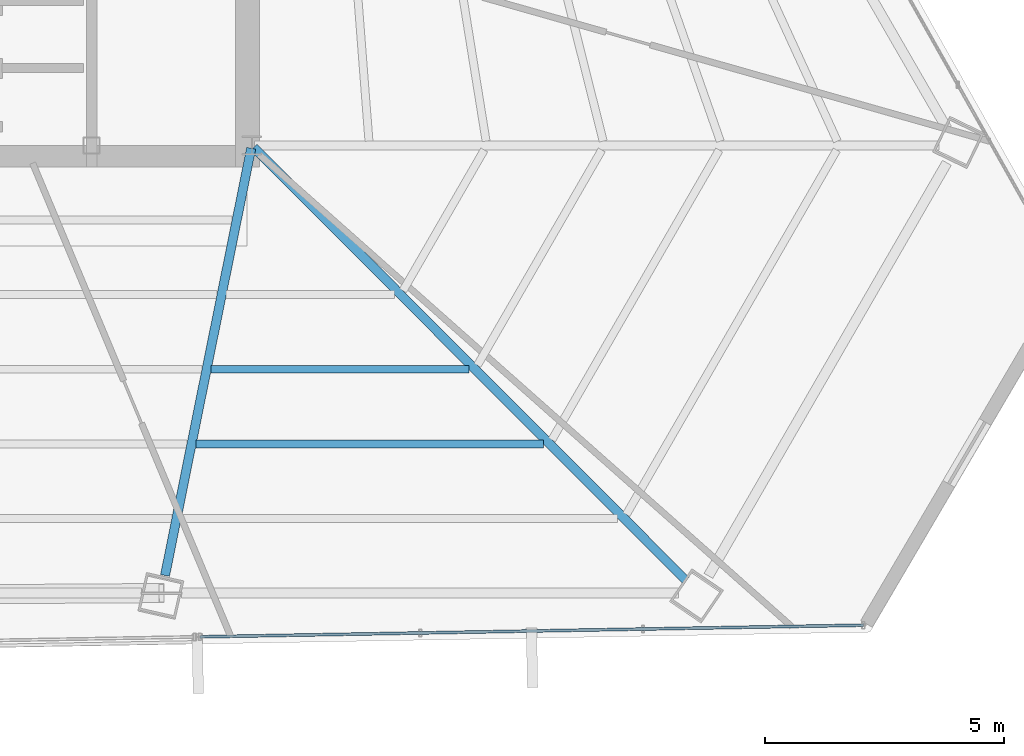
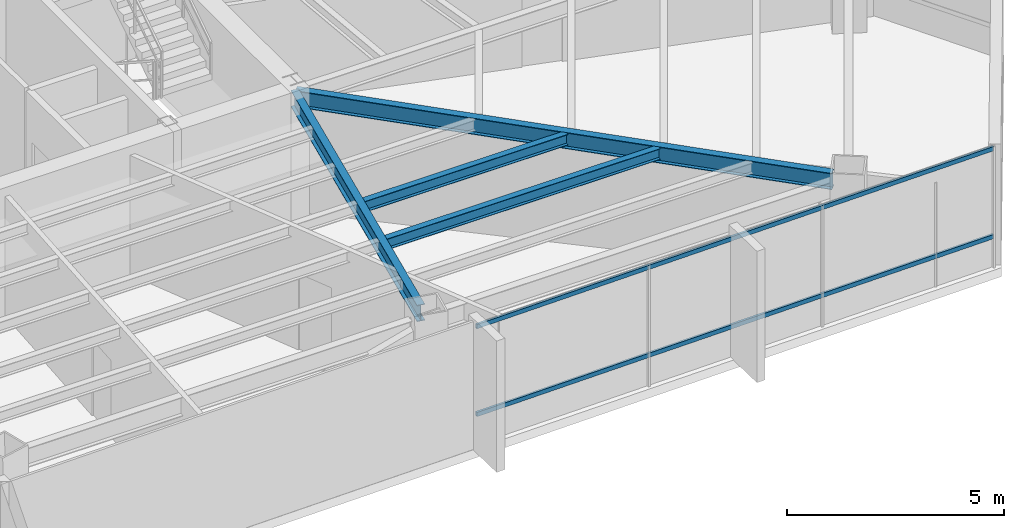
# One storey, part 19 of 42: 4 beams, 2 members, 1 element without a shape of its own.
"""IFC4 building model written with IfcOpenShell, lengths in metres."""

from ifc_helpers import new_model, si_unit, direction, frame, origin, origin_2d, place, context, subcontext, project, spatial, hollow_rectangle, i_section, extrude, source, transform, mapped, material, material_profile, profile_set, type_object, type_shapes, element, aggregate, save


model = new_model("IFC4")

# Units and contexts
model_context = context("Model", 3, precision=1e-05, world=origin(), true_north=direction((0.0, 1.0)))
body_context = subcontext(model_context, "Body", "Model", "MODEL_VIEW")
ifc_project = project(units=[si_unit("LENGTHUNIT", "METRE"), si_unit("AREAUNIT", "SQUARE_METRE"), si_unit("VOLUMEUNIT", "CUBIC_METRE"), si_unit("PLANEANGLEUNIT", "RADIAN"), si_unit("MASSUNIT", "GRAM", prefix="KILO")], contexts=[model_context])

# Site, building, storey
site_placement = place(None, origin())
site = spatial("IfcSite", under=ifc_project, at=site_placement, CompositionType="ELEMENT")
building_placement = place(site_placement, origin())
building = spatial("IfcBuilding", under=site, at=building_placement, Name="Caelisora Broadcast Tower", CompositionType="ELEMENT")
storey_placement = place(building_placement, frame((0.0, 0.0, 187.699951171875)))
storey = spatial("IfcBuildingStorey", under=building, at=storey_placement, Name="L49", CompositionType="ELEMENT", Elevation=187.699951171875)

# Beams
ifc_material_1 = material(Name="Steel Grade 350 (AS/NZS 3679.1)", Category="steel")
ifc_material_profile_1 = material_profile(ifc_material_1, i_section(OverallWidth=0.19091796875, OverallDepth=0.46044921875, WebThickness=0.010009765625, FlangeThickness=0.01611328125, at=origin_2d()), Name="Steel Grade 350 (AS/NZS 3679.1)")
ifc_profile_set_1 = profile_set([ifc_material_profile_1], Name="Steel Grade 350 (AS/NZS 3679.1)")
beam_type_1 = type_object("IfcBeamType", Name="PG06", PredefinedType="BEAM", material=ifc_profile_set_1)
shared_shape_1 = source(origin(), body_context, "Body", "SweptSolid", [
    extrude(i_section(OverallWidth=0.19091796875, OverallDepth=0.46044921875, WebThickness=0.010009765625, FlangeThickness=0.01611328125, at=origin_2d()), origin(), (0.0, 0.0, 1.0), 12.78271484375),
])
beam_1_placement = place(storey_placement, frame((45.54248046875, 17.357421875, 3.169921875), z_axis=(0.706399760924, -0.707813095221, 0.0), x_axis=(0.707813095221, 0.706399760924, 0.0)))
element("IfcBeam", 1, at=beam_1_placement, inside=storey, type_object=beam_type_1, Name="L49 beam PG06", PredefinedType="BEAM", context=body_context, shape_type="MappedRepresentation", body=[
    mapped(shared_shape_1, transform((0.0, 0.0, 0.0), scale=1.0)),
])
shared_shape_2 = source(origin(), body_context, "Body", "SweptSolid", [
    extrude(i_section(OverallWidth=0.19091796875, OverallDepth=0.46044921875, WebThickness=0.010009765625, FlangeThickness=0.01611328125, at=origin_2d()), origin(), (0.0, 0.0, 1.0), 9.109130859375),
])
type_shapes(beam_type_1, [shared_shape_1, shared_shape_2])
beam_2_placement = place(storey_placement, frame((45.488037109375, 17.34130859375, 3.169921875), z_axis=(-0.197718842831, -0.980258771544, 0.0), x_axis=(0.980258771544, -0.197718842831, 0.0)))
element("IfcBeam", 2, at=beam_2_placement, inside=storey, type_object=beam_type_1, Name="L49 beam PG06", PredefinedType="BEAM", context=body_context, shape_type="MappedRepresentation", body=[
    mapped(shared_shape_2, transform((0.0, 0.0, 0.0), scale=1.0)),
])
ifc_material_profile_2 = material_profile(ifc_material_1, i_section(OverallWidth=0.166015625, OverallDepth=0.30712890625, WebThickness=0.006591796875, FlangeThickness=0.01171875, at=origin_2d()), Name="Steel Grade 350 (AS/NZS 3679.1)")
ifc_profile_set_2 = profile_set([ifc_material_profile_2], Name="Steel Grade 350 (AS/NZS 3679.1)")
beam_type_2 = type_object("IfcBeamType", Name="SB03", PredefinedType="JOIST", material=ifc_profile_set_2)
shared_shape_3 = source(origin(), body_context, "Body", "SweptSolid", [
    extrude(i_section(OverallWidth=0.166015625, OverallDepth=0.30712890625, WebThickness=0.006591796875, FlangeThickness=0.01171875, at=origin_2d()), origin(), (0.0, 0.0, 1.0), 5.386474609375),
])
beam_3_placement = place(storey_placement, frame((44.650634765625, 12.7216796875, 3.246337890625), z_axis=(1.0, 0.0, 0.0), x_axis=(0.0, 1.0, 0.0)))
element("IfcBeam", 3, at=beam_3_placement, inside=storey, type_object=beam_type_2, Name="L49 beam SB03", PredefinedType="JOIST", context=body_context, shape_type="MappedRepresentation", body=[
    mapped(shared_shape_3, transform((0.0, 0.0, 0.0), scale=1.0)),
])
shared_shape_4 = source(origin(), body_context, "Body", "SweptSolid", [
    extrude(i_section(OverallWidth=0.166015625, OverallDepth=0.30712890625, WebThickness=0.006591796875, FlangeThickness=0.01171875, at=origin_2d()), origin(), (0.0, 0.0, 1.0), 7.257080078125),
])
type_shapes(beam_type_2, [shared_shape_3, shared_shape_4])
beam_4_placement = place(storey_placement, frame((44.336181640625, 11.162353515625, 3.246337890625), z_axis=(1.0, 0.0, 0.0), x_axis=(0.0, 1.0, 0.0)))
element("IfcBeam", 4, at=beam_4_placement, inside=storey, type_object=beam_type_2, Name="L49 beam SB03", PredefinedType="JOIST", context=body_context, shape_type="MappedRepresentation", body=[
    mapped(shared_shape_4, transform((0.0, 0.0, 0.0), scale=1.0)),
])

# Curtain wall, members
ifc_material_2 = material(Name="Unitised Aluminium and Low-E Glass Curtain Wall", Category="glass")
curtain_wall_type = type_object("IfcCurtainWallType", Name="CW-Z4", PredefinedType="NOTDEFINED", material=ifc_material_2)
curtain_wall_placement = place(storey_placement, origin())
curtain_wall = element("IfcCurtainWall", 5, at=curtain_wall_placement, inside=storey, type_object=curtain_wall_type, Name="L49 curtain wall CW-Z4", PredefinedType="NOTDEFINED")
ifc_material_3 = material(Name="Aluminium 6063-T6 Anodised Terracotta Bronze", Category="aluminium")
ifc_material_profile_3 = material_profile(ifc_material_3, hollow_rectangle(XDim=0.06005859375, YDim=0.1201171875, WallThickness=0.0029296875, at=origin_2d()), Name="Aluminium 6063-T6 Anodised Terracotta Bronze")
ifc_profile_set_3 = profile_set([ifc_material_profile_3], Name="Aluminium 6063-T6 Anodised Terracotta Bronze")
member_type = type_object("IfcMemberType", Name="CWT-03", PredefinedType="USERDEFINED", material=ifc_profile_set_3)
shared_shape_5 = source(origin(), body_context, "Body", "SweptSolid", [
    extrude(hollow_rectangle(XDim=0.06005859375, YDim=0.1201171875, WallThickness=0.0029296875, at=origin_2d()), origin(), (0.0, 0.0, 1.0), 13.87109375),
])
type_shapes(member_type, [shared_shape_5])
member_1_placement = place(storey_placement, frame((58.284912109375, 7.3720703125, 0.85009765625), z_axis=(-0.999845713879, -0.017565546895, 0.0), x_axis=(0.017565546895, -0.999845713879, 0.0)))
member_1 = element("IfcMember", 6, at=member_1_placement, type_object=member_type, Name="L49-CW-B05 transom #1", ObjectType="TRANSOM", PredefinedType="USERDEFINED", context=body_context, shape_type="MappedRepresentation", body=[
    mapped(shared_shape_5, transform((0.0, 0.0, 0.0), scale=1.0)),
])
member_2_placement = place(storey_placement, frame((58.284912109375, 7.3720703125, 3.320068359375), z_axis=(-0.999845713879, -0.017565546895, 0.0), x_axis=(0.017565546895, -0.999845713879, 0.0)))
member_2 = element("IfcMember", 7, at=member_2_placement, type_object=member_type, Name="L49-CW-B05 transom #2", ObjectType="TRANSOM", PredefinedType="USERDEFINED", context=body_context, shape_type="MappedRepresentation", body=[
    mapped(shared_shape_5, transform((0.0, 0.0, 0.0), scale=1.0)),
])
aggregate(curtain_wall, [member_1, member_2])

save(model, "model.ifc")
